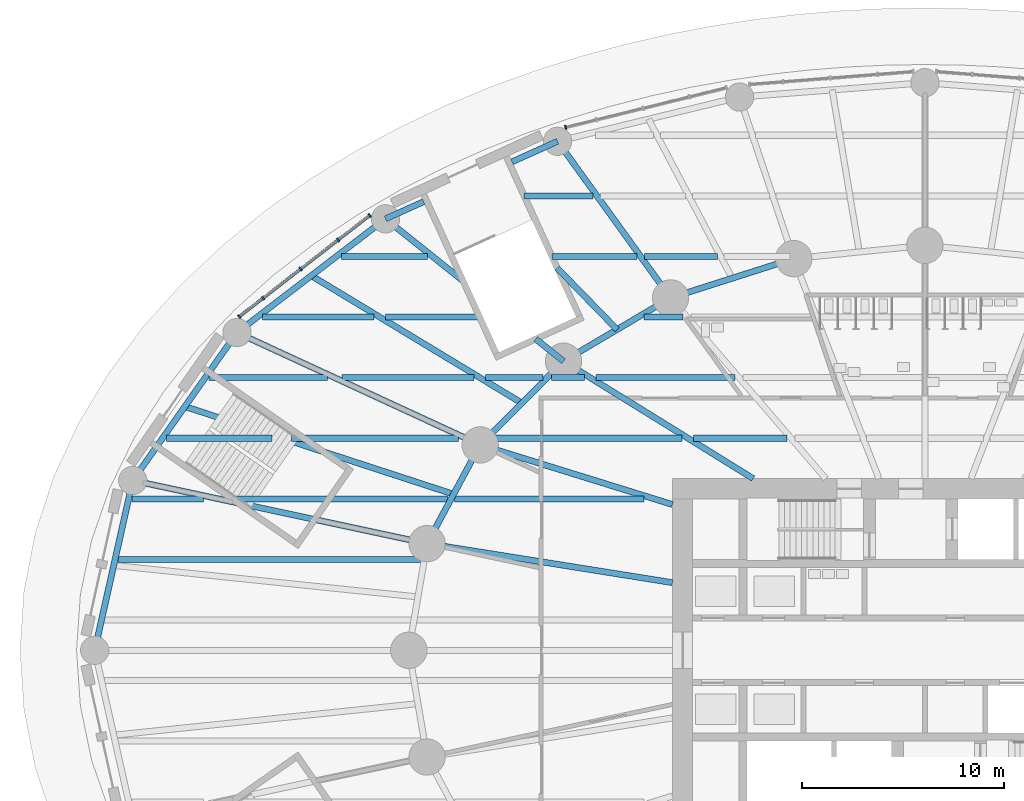
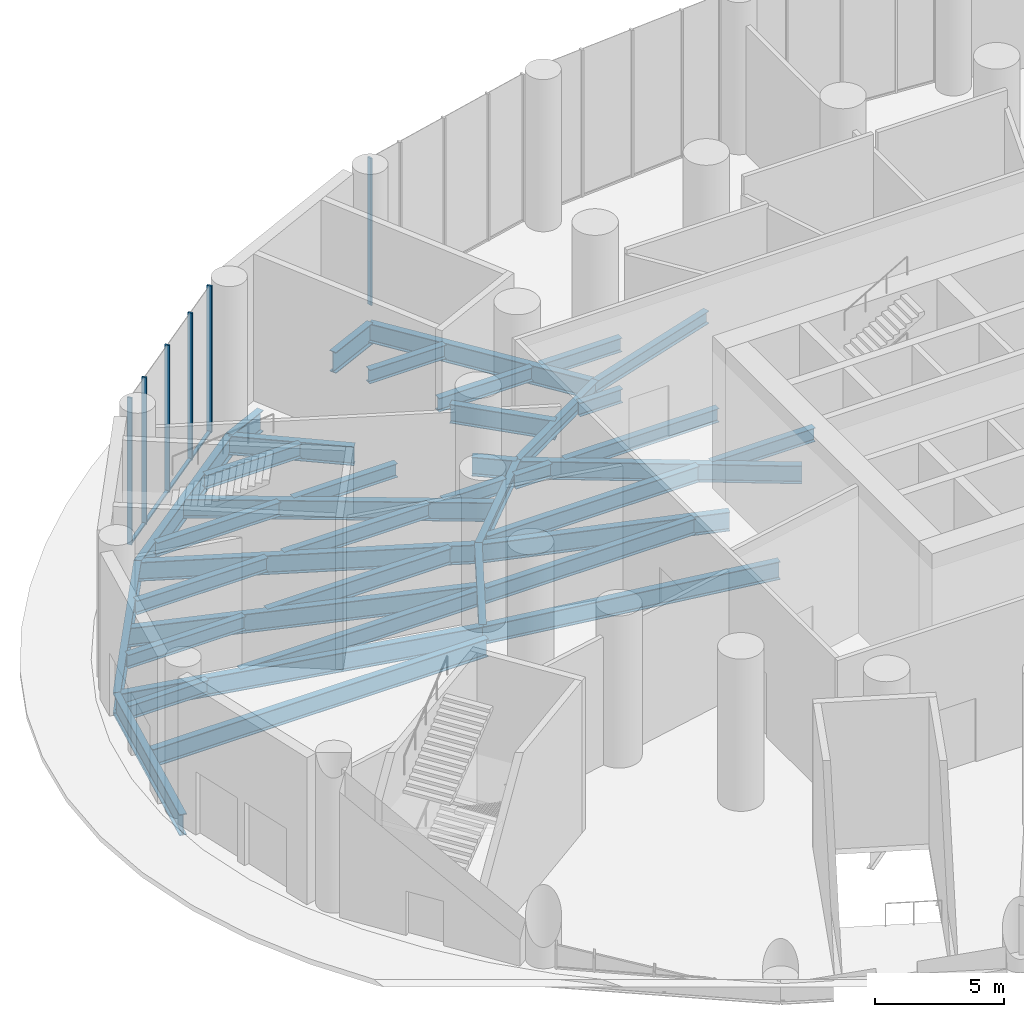
# One storey, part 5 of 22: 40 beams, 10 members, 2 elements without a shape of their own.
"""IFC4 building model written with IfcOpenShell, lengths in metres."""

from ifc_helpers import new_model, si_unit, direction, frame, origin, origin_2d, place, context, subcontext, project, spatial, rectangle, i_section, extrude, material, material_profile, profile_set, type_object, element, aggregate, save


model = new_model("IFC4")

# Units and contexts
model_context = context("Model", 3, precision=1e-05, world=origin(), true_north=direction((0.0, 1.0)))
body_context = subcontext(model_context, "Body", "Model", "MODEL_VIEW")
ifc_project = project(units=[si_unit("LENGTHUNIT", "METRE"), si_unit("AREAUNIT", "SQUARE_METRE"), si_unit("VOLUMEUNIT", "CUBIC_METRE"), si_unit("PLANEANGLEUNIT", "RADIAN"), si_unit("MASSUNIT", "GRAM", prefix="KILO")], contexts=[model_context])

# Site, building, storey
site_placement = place(None, origin())
site = spatial("IfcSite", under=ifc_project, at=site_placement, CompositionType="ELEMENT")
building_placement = place(site_placement, origin())
building = spatial("IfcBuilding", under=site, at=building_placement, Name="Hankou Lantern Tower", CompositionType="ELEMENT")
storey_placement = place(building_placement, origin())
storey = spatial("IfcBuildingStorey", under=building, at=storey_placement, Name="L00", CompositionType="ELEMENT", Elevation=0.0)

# Beams
ifc_material_1 = material(Name="Steel Q355B", Category="steel")
ifc_material_profile_1 = material_profile(ifc_material_1, i_section(OverallWidth=0.300048828125, OverallDepth=0.587890625, WebThickness=0.011962890625, FlangeThickness=0.02001953125, FilletRadius=0.01806640625, at=origin_2d()), Name="HM588x300x12x20")
ifc_profile_set_1 = profile_set([ifc_material_profile_1], Name="Steel Q355B")
beam_type_1 = type_object("IfcBeamType", Name="EB16 RING BEAM HM588x300x12x20", PredefinedType="SPANDREL", material=ifc_profile_set_1)
beam_1_placement = place(storey_placement, frame((-6.494873046875, 19.391357421875, -0.5439453125), z_axis=(-0.952690479428, -0.303942182671, 0.0), x_axis=(0.303942182671, -0.952690479428, 0.0)))
element("IfcBeam", 1, at=beam_1_placement, inside=storey, type_object=beam_type_1, Name="Ring beam R08-R09 L00", PredefinedType="SPANDREL", context=body_context, shape_type="SweptSolid", body=[
    extrude(i_section(OverallWidth=0.300048828125, OverallDepth=0.587890625, WebThickness=0.011962890625, FlangeThickness=0.02001953125, FilletRadius=0.01806640625, at=origin_2d()), origin(), (0.0, 0.0, 1.0), 6.398681640625),
])
beam_2_placement = place(storey_placement, frame((-12.5908203125, 17.446533203125, -0.5439453125), z_axis=(-0.860881533543, -0.508805449268, 0.0), x_axis=(0.508805449268, -0.860881533543, 0.0)))
element("IfcBeam", 2, at=beam_2_placement, inside=storey, type_object=beam_type_1, Name="Ring beam R09-R10 L00", PredefinedType="SPANDREL", context=body_context, shape_type="SweptSolid", body=[
    extrude(i_section(OverallWidth=0.300048828125, OverallDepth=0.587890625, WebThickness=0.011962890625, FlangeThickness=0.02001953125, FilletRadius=0.01806640625, at=origin_2d()), origin(), (0.0, 0.0, 1.0), 6.15771484375),
])
beam_3_placement = place(storey_placement, frame((-17.891845703125, 14.3134765625, -0.5439453125), z_axis=(-0.705727798394, -0.708483079949, 0.0), x_axis=(0.708483079949, -0.705727798394, 0.0)))
element("IfcBeam", 3, at=beam_3_placement, inside=storey, type_object=beam_type_1, Name="Ring beam R10-R11 L00", PredefinedType="SPANDREL", context=body_context, shape_type="SweptSolid", body=[
    extrude(i_section(OverallWidth=0.300048828125, OverallDepth=0.587890625, WebThickness=0.011962890625, FlangeThickness=0.02001953125, FilletRadius=0.01806640625, at=origin_2d()), origin(), (0.0, 0.0, 1.0), 5.84814453125),
])
beam_4_placement = place(storey_placement, frame((-22.01904296875, 10.170166015625, -0.5439453125), z_axis=(-0.473609096023, -0.880735161194, 0.0), x_axis=(0.880735161194, -0.473609096023, 0.0)))
element("IfcBeam", 4, at=beam_4_placement, inside=storey, type_object=beam_type_1, Name="Ring beam R11-R12 L00", PredefinedType="SPANDREL", context=body_context, shape_type="SweptSolid", body=[
    extrude(i_section(OverallWidth=0.300048828125, OverallDepth=0.587890625, WebThickness=0.011962890625, FlangeThickness=0.02001953125, FilletRadius=0.01806640625, at=origin_2d()), origin(), (0.0, 0.0, 1.0), 5.548828125),
])

# Curtain wall, member
ifc_material_2 = material(Name="Glass, dark grey tinted laminated", Category="glass")
curtain_wall_type = type_object("IfcCurtainWallType", Name="CWP PODIUM CURTAIN WALL", PredefinedType="USERDEFINED", material=ifc_material_2)
curtain_wall_1_placement = place(storey_placement, origin())
curtain_wall_1 = element("IfcCurtainWall", 5, at=curtain_wall_1_placement, inside=storey, type_object=curtain_wall_type, Name="CWP L00 PC04", ObjectType="PODIUM GLAZING", PredefinedType="USERDEFINED")
ifc_material_3 = material(Name="Aluminium, black anodised", Category="aluminium")
ifc_material_profile_2 = material_profile(ifc_material_3, rectangle(XDim=0.080078125, YDim=0.199951171875, at=origin_2d()), Name="MU2 80X200")
ifc_profile_set_2 = profile_set([ifc_material_profile_2], Name="Aluminium, black anodised")
member_type_1 = type_object("IfcMemberType", Name="MU2 PODIUM MULLION 80X200", PredefinedType="MULLION", material=ifc_profile_set_2)
member_1_placement = place(storey_placement, frame((-17.785888671875, 25.892333984375, 0.0), z_axis=(0.0, 0.0, 1.0), x_axis=(-0.970960955091, -0.239238006364, 0.0)))
member_1 = element("IfcMember", 6, at=member_1_placement, type_object=member_type_1, Name="CWP mullion 5", PredefinedType="MULLION", context=body_context, shape_type="SweptSolid", body=[
    extrude(rectangle(XDim=0.080078125, YDim=0.199951171875, at=origin_2d()), origin(), (0.0, 0.0, 1.0), 6.949951171875),
])
aggregate(curtain_wall_1, [member_1])

# Curtain wall, members
curtain_wall_2_placement = place(storey_placement, origin())
curtain_wall_2 = element("IfcCurtainWall", 7, at=curtain_wall_2_placement, inside=storey, type_object=curtain_wall_type, Name="CWP L00 PC05", ObjectType="PODIUM GLAZING", PredefinedType="USERDEFINED")
member_2_placement = place(storey_placement, frame((-27.487060546875, 21.530517578125, 0.0), z_axis=(0.0, 0.0, 1.0), x_axis=(-0.790129760642, -0.612939606608, 0.0)))
member_2 = element("IfcMember", 8, at=member_2_placement, type_object=member_type_1, Name="CWP mullion 1", PredefinedType="MULLION", context=body_context, shape_type="SweptSolid", body=[
    extrude(rectangle(XDim=0.080078125, YDim=0.199951171875, at=origin_2d()), origin(), (0.0, 0.0, 1.0), 6.949951171875),
])
member_3_placement = place(storey_placement, frame((-29.05322265625, 20.315673828125, 0.0), z_axis=(0.0, 0.0, 1.0), x_axis=(-0.790129760642, -0.612939606608, 0.0)))
member_3 = element("IfcMember", 9, at=member_3_placement, type_object=member_type_1, Name="CWP mullion 2", PredefinedType="MULLION", context=body_context, shape_type="SweptSolid", body=[
    extrude(rectangle(XDim=0.080078125, YDim=0.199951171875, at=origin_2d()), origin(), (0.0, 0.0, 1.0), 6.949951171875),
])
member_4_placement = place(storey_placement, frame((-30.91064453125, 18.874755859375, 0.0), z_axis=(0.0, 0.0, 1.0), x_axis=(-0.790129760642, -0.612939606608, 0.0)))
member_4 = element("IfcMember", 10, at=member_4_placement, type_object=member_type_1, Name="CWP mullion 3", PredefinedType="MULLION", context=body_context, shape_type="SweptSolid", body=[
    extrude(rectangle(XDim=0.080078125, YDim=0.199951171875, at=origin_2d()), origin(), (0.0, 0.0, 1.0), 6.949951171875),
])
member_5_placement = place(storey_placement, frame((-32.76806640625, 17.433837890625, 0.0), z_axis=(0.0, 0.0, 1.0), x_axis=(-0.790129760642, -0.612939606608, 0.0)))
member_5 = element("IfcMember", 11, at=member_5_placement, type_object=member_type_1, Name="CWP mullion 4", PredefinedType="MULLION", context=body_context, shape_type="SweptSolid", body=[
    extrude(rectangle(XDim=0.080078125, YDim=0.199951171875, at=origin_2d()), origin(), (0.0, 0.0, 1.0), 6.949951171875),
])
member_6_placement = place(storey_placement, frame((-33.945068359375, 16.520751953125, 0.0), z_axis=(0.0, 0.0, 1.0), x_axis=(-0.790129760642, -0.612939606608, 0.0)))
member_6 = element("IfcMember", 12, at=member_6_placement, type_object=member_type_1, Name="CWP mullion 5", PredefinedType="MULLION", context=body_context, shape_type="SweptSolid", body=[
    extrude(rectangle(XDim=0.080078125, YDim=0.199951171875, at=origin_2d()), origin(), (0.0, 0.0, 1.0), 6.949951171875),
])

# Beams
ifc_material_4 = material(Name="Steel Q355B", Category="steel")
ifc_material_profile_3 = material_profile(ifc_material_4, i_section(OverallWidth=0.300048828125, OverallDepth=0.89990234375, WebThickness=0.01611328125, FlangeThickness=0.028076171875, FilletRadius=0.01806640625, at=origin_2d()), Name="HN900x300x16x28")
ifc_profile_set_3 = profile_set([ifc_material_profile_3], Name="Steel Q355B")
beam_type_2 = type_object("IfcBeamType", Name="PB13 PODIUM RADIAL BEAM HN900x300x16x28", PredefinedType="BEAM", material=ifc_profile_set_3)
beam_5_placement = place(storey_placement, frame((-12.5908203125, 17.446533203125, -0.699951171875), z_axis=(-0.585207097055, 0.810883871807, 0.0), x_axis=(-0.810883871807, -0.585207097055, 0.0)))
element("IfcBeam", 13, at=beam_5_placement, inside=storey, type_object=beam_type_2, Name="Podium radial beam R09 L00", PredefinedType="BEAM", context=body_context, shape_type="SweptSolid", body=[
    extrude(i_section(OverallWidth=0.300048828125, OverallDepth=0.89990234375, WebThickness=0.01611328125, FlangeThickness=0.028076171875, FilletRadius=0.01806640625, at=origin_2d()), origin(), (0.0, 0.0, 1.0), 9.56103515625),
])
beam_6_placement = place(storey_placement, frame((-17.891845703125, 14.3134765625, -0.699951171875), z_axis=(-0.780882307425, 0.624678174703, 0.0), x_axis=(-0.624678174703, -0.780882307425, 0.0)))
element("IfcBeam", 14, at=beam_6_placement, inside=storey, type_object=beam_type_2, Name="Podium radial beam R10 L00 inner part", PredefinedType="BEAM", context=body_context, shape_type="SweptSolid", body=[
    extrude(i_section(OverallWidth=0.300048828125, OverallDepth=0.89990234375, WebThickness=0.01611328125, FlangeThickness=0.028076171875, FilletRadius=0.01806640625, at=origin_2d()), origin(), (0.0, 0.0, 1.0), 1.7646484375),
])
beam_7_placement = place(storey_placement, frame((-22.862548828125, 18.2900390625, -0.699951171875), z_axis=(-0.780883341642, 0.624676881872, 0.0), x_axis=(-0.624676881872, -0.780883341642, 0.0)))
element("IfcBeam", 15, at=beam_7_placement, inside=storey, type_object=beam_type_2, Name="Podium radial beam R10 L00 outer part", PredefinedType="BEAM", context=body_context, shape_type="SweptSolid", body=[
    extrude(i_section(OverallWidth=0.300048828125, OverallDepth=0.89990234375, WebThickness=0.01611328125, FlangeThickness=0.028076171875, FilletRadius=0.01806640625, at=origin_2d()), origin(), (0.0, 0.0, 1.0), 4.9169921875),
])
beam_8_placement = place(storey_placement, frame((-22.01904296875, 10.170166015625, -0.699951171875), z_axis=(-0.907840792808, 0.419315030633, 0.0), x_axis=(-0.419315030633, -0.907840792808, 0.0)))
element("IfcBeam", 16, at=beam_8_placement, inside=storey, type_object=beam_type_2, Name="Podium radial beam R11 L00", PredefinedType="BEAM", context=body_context, shape_type="SweptSolid", body=[
    extrude(i_section(OverallWidth=0.300048828125, OverallDepth=0.89990234375, WebThickness=0.01611328125, FlangeThickness=0.028076171875, FilletRadius=0.01806640625, at=origin_2d()), origin(), (0.0, 0.0, 1.0), 13.259765625),
])
beam_9_placement = place(storey_placement, frame((-24.64697265625, 5.283203125, -0.699951171875), z_axis=(-0.977784908271, 0.209610765845, 0.0), x_axis=(-0.209610765845, -0.977784908271, 0.0)))
element("IfcBeam", 17, at=beam_9_placement, inside=storey, type_object=beam_type_2, Name="Podium radial beam R12 L00", PredefinedType="BEAM", context=body_context, shape_type="SweptSolid", body=[
    extrude(i_section(OverallWidth=0.300048828125, OverallDepth=0.89990234375, WebThickness=0.01611328125, FlangeThickness=0.028076171875, FilletRadius=0.01806640625, at=origin_2d()), origin(), (0.0, 0.0, 1.0), 14.901611328125),
])
ifc_material_5 = material(Name="Steel Q355B", Category="steel")
ifc_material_profile_4 = material_profile(ifc_material_5, i_section(OverallWidth=0.300048828125, OverallDepth=1.0, WebThickness=0.01904296875, FlangeThickness=0.035888671875, FilletRadius=0.01806640625, at=origin_2d()), Name="HN1000x300x19x36")
ifc_profile_set_4 = profile_set([ifc_material_profile_4], Name="Steel Q355B")
beam_type_3 = type_object("IfcBeamType", Name="PR22 PODIUM RING BEAM HN1000x300x19x36", PredefinedType="BEAM", material=ifc_profile_set_4)
beam_10_placement = place(storey_placement, frame((-18.18603515625, 25.199462890625, -0.75), z_axis=(-0.911703477689, -0.410848839318, 0.0), x_axis=(0.410848839318, -0.911703477689, 0.0)))
element("IfcBeam", 18, at=beam_10_placement, inside=storey, type_object=beam_type_3, Name="Podium ring beam R09-R10 L00 west part", PredefinedType="BEAM", context=body_context, shape_type="SweptSolid", body=[
    extrude(i_section(OverallWidth=0.300048828125, OverallDepth=1.0, WebThickness=0.01904296875, FlangeThickness=0.035888671875, FilletRadius=0.01806640625, at=origin_2d()), origin(), (0.0, 0.0, 1.0), 2.473876953125),
])
beam_11_placement = place(storey_placement, frame((-24.817626953125, 22.2109375, -0.75), z_axis=(-0.911680465406, -0.410899901431, 0.0), x_axis=(0.410899901431, -0.911680465406, 0.0)))
element("IfcBeam", 19, at=beam_11_placement, inside=storey, type_object=beam_type_3, Name="Podium ring beam R09-R10 L00 east part", PredefinedType="BEAM", context=body_context, shape_type="SweptSolid", body=[
    extrude(i_section(OverallWidth=0.300048828125, OverallDepth=1.0, WebThickness=0.01904296875, FlangeThickness=0.035888671875, FilletRadius=0.01806640625, at=origin_2d()), origin(), (0.0, 0.0, 1.0), 2.067138671875),
])
beam_12_placement = place(storey_placement, frame((-26.7021484375, 21.361572265625, -0.75), z_axis=(-0.793985875103, -0.607936205647, 0.0), x_axis=(0.607936205647, -0.793985875103, 0.0)))
element("IfcBeam", 20, at=beam_12_placement, inside=storey, type_object=beam_type_3, Name="Podium ring beam R10-R11 L00", PredefinedType="BEAM", context=body_context, shape_type="SweptSolid", body=[
    extrude(i_section(OverallWidth=0.300048828125, OverallDepth=1.0, WebThickness=0.01904296875, FlangeThickness=0.035888671875, FilletRadius=0.01806640625, at=origin_2d()), origin(), (0.0, 0.0, 1.0), 9.262939453125),
])
beam_13_placement = place(storey_placement, frame((-34.056884765625, 15.730224609375, -0.75), z_axis=(-0.576021821376, -0.817434316199, 0.0), x_axis=(0.817434316199, -0.576021821376, 0.0)))
element("IfcBeam", 21, at=beam_13_placement, inside=storey, type_object=beam_type_3, Name="Podium ring beam R11-R12 L00", PredefinedType="BEAM", context=body_context, shape_type="SweptSolid", body=[
    extrude(i_section(OverallWidth=0.300048828125, OverallDepth=1.0, WebThickness=0.01904296875, FlangeThickness=0.035888671875, FilletRadius=0.01806640625, at=origin_2d()), origin(), (0.0, 0.0, 1.0), 8.959228515625),
])
beam_14_placement = place(storey_placement, frame((-39.217529296875, 8.40673828125, -0.75), z_axis=(-0.218523498172, -0.975831686689, 0.0), x_axis=(0.975831686689, -0.218523498172, 0.0)))
element("IfcBeam", 22, at=beam_14_placement, inside=storey, type_object=beam_type_3, Name="Podium ring beam R12-R13 L00", PredefinedType="BEAM", context=body_context, shape_type="SweptSolid", body=[
    extrude(i_section(OverallWidth=0.300048828125, OverallDepth=1.0, WebThickness=0.01904296875, FlangeThickness=0.035888671875, FilletRadius=0.01806640625, at=origin_2d()), origin(), (0.0, 0.0, 1.0), 8.614990234375),
])
ifc_material_6 = material(Name="Steel Q355B", Category="steel")
ifc_material_profile_5 = material_profile(ifc_material_6, i_section(OverallWidth=0.300048828125, OverallDepth=0.89990234375, WebThickness=0.01611328125, FlangeThickness=0.028076171875, FilletRadius=0.01806640625, at=origin_2d()), Name="HN900x300x16x28")
ifc_profile_set_5 = profile_set([ifc_material_profile_5], Name="Steel Q355B")
beam_type_4 = type_object("IfcBeamType", Name="PS13 PODIUM SECONDARY BEAM HN900x300x16x28", PredefinedType="JOIST", material=ifc_profile_set_5)
beam_15_placement = place(storey_placement, frame((-15.2412109375, 15.8798828125, -0.699951171875), z_axis=(-0.697479343091, 0.716604888319, 0.0), x_axis=(-0.716604888319, -0.697479343091, 0.0)))
element("IfcBeam", 23, at=beam_15_placement, inside=storey, type_object=beam_type_4, Name="Podium secondary beam bay R09 L00", PredefinedType="JOIST", context=body_context, shape_type="SweptSolid", body=[
    extrude(i_section(OverallWidth=0.300048828125, OverallDepth=0.89990234375, WebThickness=0.01611328125, FlangeThickness=0.028076171875, FilletRadius=0.01806640625, at=origin_2d()), origin(), (0.0, 0.0, 1.0), 4.250732421875),
])
beam_16_placement = place(storey_placement, frame((-19.955322265625, 12.24169921875, -0.699951171875), z_axis=(-0.855685755165, 0.517495785884, 0.0), x_axis=(-0.517495785884, -0.855685755165, 0.0)))
element("IfcBeam", 24, at=beam_16_placement, inside=storey, type_object=beam_type_4, Name="Podium secondary beam bay R10 L00", PredefinedType="JOIST", context=body_context, shape_type="SweptSolid", body=[
    extrude(i_section(OverallWidth=0.300048828125, OverallDepth=0.89990234375, WebThickness=0.01611328125, FlangeThickness=0.028076171875, FilletRadius=0.01806640625, at=origin_2d()), origin(), (0.0, 0.0, 1.0), 12.18212890625),
])
beam_17_placement = place(storey_placement, frame((-23.3330078125, 7.726806640625, -0.699951171875), z_axis=(-0.950661853908, 0.310229011415, 0.0), x_axis=(-0.310229011415, -0.950661853908, 0.0)))
element("IfcBeam", 25, at=beam_17_placement, inside=storey, type_object=beam_type_4, Name="Podium secondary beam bay R11 L00", PredefinedType="JOIST", context=body_context, shape_type="SweptSolid", body=[
    extrude(i_section(OverallWidth=0.300048828125, OverallDepth=0.89990234375, WebThickness=0.01611328125, FlangeThickness=0.028076171875, FilletRadius=0.01806640625, at=origin_2d()), origin(), (0.0, 0.0, 1.0), 13.99462890625),
])
ifc_material_7 = material(Name="Steel Q355B", Category="steel")
ifc_material_profile_6 = material_profile(ifc_material_7, i_section(OverallWidth=0.300048828125, OverallDepth=0.85009765625, WebThickness=0.01611328125, FlangeThickness=0.027099609375, FilletRadius=0.01806640625, at=origin_2d()), Name="HN850x300x16x27")
ifc_profile_set_6 = profile_set([ifc_material_profile_6], Name="Steel Q355B")
beam_type_5 = type_object("IfcBeamType", Name="RB12 RADIAL BEAM HN850x300x16x27", PredefinedType="BEAM", material=ifc_profile_set_6)
beam_18_placement = place(storey_placement, frame((-8.5, 8.5, -0.675048828125), z_axis=(-0.850286343288, 0.526320372414, 0.0), x_axis=(-0.526320372414, -0.850286343288, 0.0)))
element("IfcBeam", 26, at=beam_18_placement, inside=storey, type_object=beam_type_5, Name="Radial beam R10 L00", PredefinedType="BEAM", context=body_context, shape_type="SweptSolid", body=[
    extrude(i_section(OverallWidth=0.300048828125, OverallDepth=0.85009765625, WebThickness=0.01611328125, FlangeThickness=0.027099609375, FilletRadius=0.01806640625, at=origin_2d()), origin(), (0.0, 0.0, 1.0), 11.04541015625),
])
beam_19_placement = place(storey_placement, frame((-12.5, 3.349365234375, -0.675048828125), z_axis=(-0.987563081343, 0.157223281893, 0.0), x_axis=(-0.157223281893, -0.987563081343, 0.0)))
element("IfcBeam", 27, at=beam_19_placement, inside=storey, type_object=beam_type_5, Name="Radial beam R12 L00", PredefinedType="BEAM", context=body_context, shape_type="SweptSolid", body=[
    extrude(i_section(OverallWidth=0.300048828125, OverallDepth=0.85009765625, WebThickness=0.01611328125, FlangeThickness=0.027099609375, FilletRadius=0.01806640625, at=origin_2d()), origin(), (0.0, 0.0, 1.0), 12.300048828125),
])
ifc_material_8 = material(Name="Steel Q355B", Category="steel")
ifc_material_profile_7 = material_profile(ifc_material_8, i_section(OverallWidth=0.300048828125, OverallDepth=0.89990234375, WebThickness=0.01611328125, FlangeThickness=0.028076171875, FilletRadius=0.01806640625, at=origin_2d()), Name="HN900x300x16x28")
ifc_profile_set_7 = profile_set([ifc_material_profile_7], Name="Steel Q355B")
beam_type_6 = type_object("IfcBeamType", Name="RB13 RADIAL BEAM HN900x300x16x28", PredefinedType="BEAM", material=ifc_profile_set_7)
beam_20_placement = place(storey_placement, frame((-12.5, 7.216796875, -0.699951171875), z_axis=(-0.955087327755, 0.29632447817, 0.0), x_axis=(-0.29632447817, -0.955087327755, 0.0)))
element("IfcBeam", 28, at=beam_20_placement, inside=storey, type_object=beam_type_6, Name="Radial beam R11 L00", PredefinedType="BEAM", context=body_context, shape_type="SweptSolid", body=[
    extrude(i_section(OverallWidth=0.300048828125, OverallDepth=0.89990234375, WebThickness=0.01611328125, FlangeThickness=0.028076171875, FilletRadius=0.01806640625, at=origin_2d()), origin(), (0.0, 0.0, 1.0), 9.966552734375),
])
ifc_material_9 = material(Name="Steel Q355B", Category="steel")
ifc_material_profile_8 = material_profile(ifc_material_9, i_section(OverallWidth=0.300048828125, OverallDepth=0.75, WebThickness=0.012939453125, FlangeThickness=0.02392578125, FilletRadius=0.01806640625, at=origin_2d()), Name="HN750x300x13x24")
ifc_profile_set_8 = profile_set([ifc_material_profile_8], Name="Steel Q355B")
beam_type_7 = type_object("IfcBeamType", Name="SB10 SECONDARY BEAM HN750x300x13x24", PredefinedType="JOIST", material=ifc_profile_set_8)
beam_21_placement = place(storey_placement, frame((-34.2724609375, 7.5, -0.625), z_axis=(1.0, 0.0, 0.0), x_axis=(0.0, 1.0, 0.0)))
element("IfcBeam", 29, at=beam_21_placement, inside=storey, type_object=beam_type_7, Name="Floor joist J098 L00", PredefinedType="JOIST", context=body_context, shape_type="SweptSolid", body=[
    extrude(i_section(OverallWidth=0.300048828125, OverallDepth=0.75, WebThickness=0.012939453125, FlangeThickness=0.02392578125, FilletRadius=0.01806640625, at=origin_2d()), origin(), (0.0, 0.0, 1.0), 10.647216796875),
])
beam_22_placement = place(storey_placement, frame((-23.28466796875, 7.5, -0.625), z_axis=(1.0, 0.0, 0.0), x_axis=(0.0, 1.0, 0.0)))
element("IfcBeam", 30, at=beam_22_placement, inside=storey, type_object=beam_type_7, Name="Floor joist J099 L00", PredefinedType="JOIST", context=body_context, shape_type="SweptSolid", body=[
    extrude(i_section(OverallWidth=0.300048828125, OverallDepth=0.75, WebThickness=0.012939453125, FlangeThickness=0.02392578125, FilletRadius=0.01806640625, at=origin_2d()), origin(), (0.0, 0.0, 1.0), 9.365966796875),
])
beam_23_placement = place(storey_placement, frame((-31.34765625, 10.5, -0.625), z_axis=(1.0, 0.0, 0.0), x_axis=(0.0, 1.0, 0.0)))
element("IfcBeam", 31, at=beam_23_placement, inside=storey, type_object=beam_type_7, Name="Floor joist J104 L00", PredefinedType="JOIST", context=body_context, shape_type="SweptSolid", body=[
    extrude(i_section(OverallWidth=0.300048828125, OverallDepth=0.75, WebThickness=0.012939453125, FlangeThickness=0.02392578125, FilletRadius=0.01806640625, at=origin_2d()), origin(), (0.0, 0.0, 1.0), 8.2568359375),
])
beam_24_placement = place(storey_placement, frame((-21.478759765625, 10.5, -0.625), z_axis=(1.0, 0.0, 0.0), x_axis=(0.0, 1.0, 0.0)))
element("IfcBeam", 32, at=beam_24_placement, inside=storey, type_object=beam_type_7, Name="Floor joist J105 L00", PredefinedType="JOIST", context=body_context, shape_type="SweptSolid", body=[
    extrude(i_section(OverallWidth=0.300048828125, OverallDepth=0.75, WebThickness=0.012939453125, FlangeThickness=0.02392578125, FilletRadius=0.01806640625, at=origin_2d()), origin(), (0.0, 0.0, 1.0), 9.462646484375),
])
ifc_material_10 = material(Name="Steel Q355B", Category="steel")
ifc_material_profile_9 = material_profile(ifc_material_10, i_section(OverallWidth=0.300048828125, OverallDepth=0.85009765625, WebThickness=0.01611328125, FlangeThickness=0.027099609375, FilletRadius=0.01806640625, at=origin_2d()), Name="HN850x300x16x27")
ifc_profile_set_9 = profile_set([ifc_material_profile_9], Name="Steel Q355B")
beam_type_8 = type_object("IfcBeamType", Name="SB12 SECONDARY BEAM HN850x300x16x27", PredefinedType="JOIST", material=ifc_profile_set_9)
beam_25_placement = place(storey_placement, frame((-39.938720703125, 4.5, -0.675048828125), z_axis=(1.0, 0.0, 0.0), x_axis=(0.0, 1.0, 0.0)))
element("IfcBeam", 33, at=beam_25_placement, inside=storey, type_object=beam_type_8, Name="Floor joist J091 L00", PredefinedType="JOIST", context=body_context, shape_type="SweptSolid", body=[
    extrude(i_section(OverallWidth=0.300048828125, OverallDepth=0.85009765625, WebThickness=0.01611328125, FlangeThickness=0.027099609375, FilletRadius=0.01806640625, at=origin_2d()), origin(), (0.0, 0.0, 1.0), 15.005615234375),
])
ifc_material_11 = material(Name="Steel Q355B", Category="steel")
ifc_material_profile_10 = material_profile(ifc_material_11, i_section(OverallWidth=0.300048828125, OverallDepth=0.64990234375, WebThickness=0.010986328125, FlangeThickness=0.01708984375, FilletRadius=0.01806640625, at=origin_2d()), Name="HN650x300x11x17")
ifc_profile_set_10 = profile_set([ifc_material_profile_10], Name="Steel Q355B")
beam_type_9 = type_object("IfcBeamType", Name="SB8 SECONDARY BEAM HN650x300x11x17", PredefinedType="JOIST", material=ifc_profile_set_10)
beam_26_placement = place(storey_placement, frame((-39.266845703125, 7.5, -0.574951171875), z_axis=(1.0, 0.0, 0.0), x_axis=(0.0, 1.0, 0.0)))
element("IfcBeam", 34, at=beam_26_placement, inside=storey, type_object=beam_type_9, Name="Floor joist J097 L00", PredefinedType="JOIST", context=body_context, shape_type="SweptSolid", body=[
    extrude(i_section(OverallWidth=0.300048828125, OverallDepth=0.64990234375, WebThickness=0.010986328125, FlangeThickness=0.01708984375, FilletRadius=0.01806640625, at=origin_2d()), origin(), (0.0, 0.0, 1.0), 3.563232421875),
])
beam_27_placement = place(storey_placement, frame((-37.55908203125, 10.5, -0.574951171875), z_axis=(1.0, 0.0, 0.0), x_axis=(0.0, 1.0, 0.0)))
element("IfcBeam", 35, at=beam_27_placement, inside=storey, type_object=beam_type_9, Name="Floor joist J103 L00", PredefinedType="JOIST", context=body_context, shape_type="SweptSolid", body=[
    extrude(i_section(OverallWidth=0.300048828125, OverallDepth=0.64990234375, WebThickness=0.010986328125, FlangeThickness=0.01708984375, FilletRadius=0.01806640625, at=origin_2d()), origin(), (0.0, 0.0, 1.0), 5.244384765625),
])
beam_28_placement = place(storey_placement, frame((-11.446044921875, 10.5, -0.574951171875), z_axis=(1.0, 0.0, 0.0), x_axis=(0.0, 1.0, 0.0)))
element("IfcBeam", 36, at=beam_28_placement, inside=storey, type_object=beam_type_9, Name="Floor joist J106 L00", PredefinedType="JOIST", context=body_context, shape_type="SweptSolid", body=[
    extrude(i_section(OverallWidth=0.300048828125, OverallDepth=0.64990234375, WebThickness=0.010986328125, FlangeThickness=0.01708984375, FilletRadius=0.01806640625, at=origin_2d()), origin(), (0.0, 0.0, 1.0), 4.623291015625),
])
beam_29_placement = place(storey_placement, frame((-35.44482421875, 13.5, -0.574951171875), z_axis=(1.0, 0.0, 0.0), x_axis=(0.0, 1.0, 0.0)))
element("IfcBeam", 37, at=beam_29_placement, inside=storey, type_object=beam_type_9, Name="Floor joist J115 L00", PredefinedType="JOIST", context=body_context, shape_type="SweptSolid", body=[
    extrude(i_section(OverallWidth=0.300048828125, OverallDepth=0.64990234375, WebThickness=0.010986328125, FlangeThickness=0.01708984375, FilletRadius=0.01806640625, at=origin_2d()), origin(), (0.0, 0.0, 1.0), 5.858642578125),
])
beam_30_placement = place(storey_placement, frame((-28.87060546875, 13.5, -0.574951171875), z_axis=(1.0, 0.0, 0.0), x_axis=(0.0, 1.0, 0.0)))
element("IfcBeam", 38, at=beam_30_placement, inside=storey, type_object=beam_type_9, Name="Floor joist J116 L00", PredefinedType="JOIST", context=body_context, shape_type="SweptSolid", body=[
    extrude(i_section(OverallWidth=0.300048828125, OverallDepth=0.64990234375, WebThickness=0.010986328125, FlangeThickness=0.01708984375, FilletRadius=0.01806640625, at=origin_2d()), origin(), (0.0, 0.0, 1.0), 6.544921875),
])
beam_31_placement = place(storey_placement, frame((-21.74609375, 13.5, -0.574951171875), z_axis=(1.0, 0.0, 0.0), x_axis=(0.0, 1.0, 0.0)))
element("IfcBeam", 39, at=beam_31_placement, inside=storey, type_object=beam_type_9, Name="Floor joist J117 L00", PredefinedType="JOIST", context=body_context, shape_type="SweptSolid", body=[
    extrude(i_section(OverallWidth=0.300048828125, OverallDepth=0.64990234375, WebThickness=0.010986328125, FlangeThickness=0.01708984375, FilletRadius=0.01806640625, at=origin_2d()), origin(), (0.0, 0.0, 1.0), 2.832275390625),
])
beam_32_placement = place(storey_placement, frame((-18.490234375, 13.5, -0.574951171875), z_axis=(1.0, 0.0, 0.0), x_axis=(0.0, 1.0, 0.0)))
element("IfcBeam", 40, at=beam_32_placement, inside=storey, type_object=beam_type_9, Name="Floor joist J118 L00", PredefinedType="JOIST", context=body_context, shape_type="SweptSolid", body=[
    extrude(i_section(OverallWidth=0.300048828125, OverallDepth=0.64990234375, WebThickness=0.010986328125, FlangeThickness=0.01708984375, FilletRadius=0.01806640625, at=origin_2d()), origin(), (0.0, 0.0, 1.0), 1.62744140625),
])
beam_33_placement = place(storey_placement, frame((-16.292724609375, 13.5, -0.574951171875), z_axis=(1.0, 0.0, 0.0), x_axis=(0.0, 1.0, 0.0)))
element("IfcBeam", 41, at=beam_33_placement, inside=storey, type_object=beam_type_9, Name="Floor joist J119 L00", PredefinedType="JOIST", context=body_context, shape_type="SweptSolid", body=[
    extrude(i_section(OverallWidth=0.300048828125, OverallDepth=0.64990234375, WebThickness=0.010986328125, FlangeThickness=0.01708984375, FilletRadius=0.01806640625, at=origin_2d()), origin(), (0.0, 0.0, 1.0), 6.893310546875),
])
beam_34_placement = place(storey_placement, frame((-32.8046875, 16.5, -0.574951171875), z_axis=(1.0, 0.0, 0.0), x_axis=(0.0, 1.0, 0.0)))
element("IfcBeam", 42, at=beam_34_placement, inside=storey, type_object=beam_type_9, Name="Floor joist J129 L00", PredefinedType="JOIST", context=body_context, shape_type="SweptSolid", body=[
    extrude(i_section(OverallWidth=0.300048828125, OverallDepth=0.64990234375, WebThickness=0.010986328125, FlangeThickness=0.01708984375, FilletRadius=0.01806640625, at=origin_2d()), origin(), (0.0, 0.0, 1.0), 5.518310546875),
])
beam_35_placement = place(storey_placement, frame((-26.70654296875, 16.5, -0.574951171875), z_axis=(1.0, 0.0, 0.0), x_axis=(0.0, 1.0, 0.0)))
element("IfcBeam", 43, at=beam_35_placement, inside=storey, type_object=beam_type_9, Name="Floor joist J130 L00", PredefinedType="JOIST", context=body_context, shape_type="SweptSolid", body=[
    extrude(i_section(OverallWidth=0.300048828125, OverallDepth=0.64990234375, WebThickness=0.010986328125, FlangeThickness=0.01708984375, FilletRadius=0.01806640625, at=origin_2d()), origin(), (0.0, 0.0, 1.0), 4.661376953125),
])
beam_36_placement = place(storey_placement, frame((-13.8974609375, 16.5, -0.574951171875), z_axis=(1.0, 0.0, 0.0), x_axis=(0.0, 1.0, 0.0)))
element("IfcBeam", 44, at=beam_36_placement, inside=storey, type_object=beam_type_9, Name="Floor joist J132 L00", PredefinedType="JOIST", context=body_context, shape_type="SweptSolid", body=[
    extrude(i_section(OverallWidth=0.300048828125, OverallDepth=0.64990234375, WebThickness=0.010986328125, FlangeThickness=0.01708984375, FilletRadius=0.01806640625, at=origin_2d()), origin(), (0.0, 0.0, 1.0), 1.921630859375),
])
beam_37_placement = place(storey_placement, frame((-28.88671875, 19.5, -0.574951171875), z_axis=(1.0, 0.0, 0.0), x_axis=(0.0, 1.0, 0.0)))
element("IfcBeam", 45, at=beam_37_placement, inside=storey, type_object=beam_type_9, Name="Floor joist J141 L00", PredefinedType="JOIST", context=body_context, shape_type="SweptSolid", body=[
    extrude(i_section(OverallWidth=0.300048828125, OverallDepth=0.64990234375, WebThickness=0.010986328125, FlangeThickness=0.01708984375, FilletRadius=0.01806640625, at=origin_2d()), origin(), (0.0, 0.0, 1.0), 4.271484375),
])
beam_38_placement = place(storey_placement, frame((-18.468017578125, 19.5, -0.574951171875), z_axis=(1.0, 0.0, 0.0), x_axis=(0.0, 1.0, 0.0)))
element("IfcBeam", 46, at=beam_38_placement, inside=storey, type_object=beam_type_9, Name="Floor joist J143 L00", PredefinedType="JOIST", context=body_context, shape_type="SweptSolid", body=[
    extrude(i_section(OverallWidth=0.300048828125, OverallDepth=0.64990234375, WebThickness=0.010986328125, FlangeThickness=0.01708984375, FilletRadius=0.01806640625, at=origin_2d()), origin(), (0.0, 0.0, 1.0), 4.210205078125),
])
beam_39_placement = place(storey_placement, frame((-13.887939453125, 19.5, -0.574951171875), z_axis=(1.0, 0.0, 0.0), x_axis=(0.0, 1.0, 0.0)))
element("IfcBeam", 47, at=beam_39_placement, inside=storey, type_object=beam_type_9, Name="Floor joist J144 L00", PredefinedType="JOIST", context=body_context, shape_type="SweptSolid", body=[
    extrude(i_section(OverallWidth=0.300048828125, OverallDepth=0.64990234375, WebThickness=0.010986328125, FlangeThickness=0.01708984375, FilletRadius=0.01806640625, at=origin_2d()), origin(), (0.0, 0.0, 1.0), 3.607666015625),
])
beam_40_placement = place(storey_placement, frame((-19.837890625, 22.5, -0.574951171875), z_axis=(1.0, 0.0, 0.0), x_axis=(0.0, 1.0, 0.0)))
element("IfcBeam", 48, at=beam_40_placement, inside=storey, type_object=beam_type_9, Name="Floor joist J154 L00", PredefinedType="JOIST", context=body_context, shape_type="SweptSolid", body=[
    extrude(i_section(OverallWidth=0.300048828125, OverallDepth=0.64990234375, WebThickness=0.010986328125, FlangeThickness=0.01708984375, FilletRadius=0.01806640625, at=origin_2d()), origin(), (0.0, 0.0, 1.0), 3.414794921875),
])

# Member
ifc_material_12 = material(Name="Aluminium, black anodised", Category="aluminium")
ifc_material_profile_11 = material_profile(ifc_material_12, rectangle(XDim=0.14990234375, YDim=0.080078125, at=origin_2d()), Name="TR2 150X80")
ifc_profile_set_11 = profile_set([ifc_material_profile_11], Name="Aluminium, black anodised")
member_type_2 = type_object("IfcMemberType", Name="TR2 PODIUM TRANSOM 150X80", PredefinedType="USERDEFINED", material=ifc_profile_set_11)
member_7_placement = place(storey_placement, frame((-27.5185546875, 21.506103515625, 0.0400390625), z_axis=(-0.790098015443, -0.612980526601, 0.0), x_axis=(0.612980526601, -0.790098015443, 0.0)))
member_7 = element("IfcMember", 49, at=member_7_placement, type_object=member_type_2, Name="CWP transom 1", ObjectType="TRANSOM", PredefinedType="USERDEFINED", context=body_context, shape_type="SweptSolid", body=[
    extrude(rectangle(XDim=0.14990234375, YDim=0.080078125, at=origin_2d()), origin(), (0.0, 0.0, 1.0), 1.902099609375),
])

member_8_placement = place(storey_placement, frame((-29.084716796875, 20.291015625, 0.0400390625), z_axis=(-0.79016773701, -0.612890648802, 0.0), x_axis=(0.612890648802, -0.79016773701, 0.0)))
member_8 = element("IfcMember", 50, at=member_8_placement, type_object=member_type_2, Name="CWP transom 2", ObjectType="TRANSOM", PredefinedType="USERDEFINED", context=body_context, shape_type="SweptSolid", body=[
    extrude(rectangle(XDim=0.14990234375, YDim=0.080078125, at=origin_2d()), origin(), (0.0, 0.0, 1.0), 2.27099609375),
])

member_9_placement = place(storey_placement, frame((-30.942138671875, 18.85009765625, 0.0400390625), z_axis=(-0.79016773701, -0.612890648802, 0.0), x_axis=(0.612890648802, -0.79016773701, 0.0)))
member_9 = element("IfcMember", 51, at=member_9_placement, type_object=member_type_2, Name="CWP transom 3", ObjectType="TRANSOM", PredefinedType="USERDEFINED", context=body_context, shape_type="SweptSolid", body=[
    extrude(rectangle(XDim=0.14990234375, YDim=0.080078125, at=origin_2d()), origin(), (0.0, 0.0, 1.0), 2.27099609375),
])

member_10_placement = place(storey_placement, frame((-32.7998046875, 17.4091796875, 0.0400390625), z_axis=(-0.790144462034, -0.612920654829, 0.0), x_axis=(0.612920654829, -0.790144462034, 0.0)))
member_10 = element("IfcMember", 52, at=member_10_placement, type_object=member_type_2, Name="CWP transom 4", ObjectType="TRANSOM", PredefinedType="USERDEFINED", context=body_context, shape_type="SweptSolid", body=[
    extrude(rectangle(XDim=0.14990234375, YDim=0.080078125, at=origin_2d()), origin(), (0.0, 0.0, 1.0), 1.4091796875),
])

aggregate(curtain_wall_2, [member_2, member_3, member_4, member_5, member_6, member_7, member_8, member_9, member_10])

save(model, "model.ifc")
